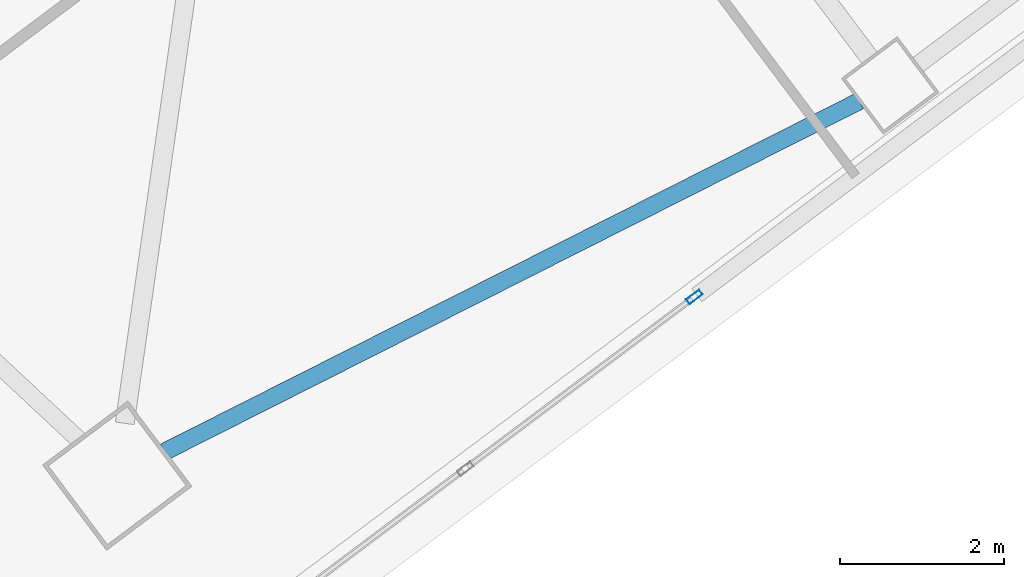
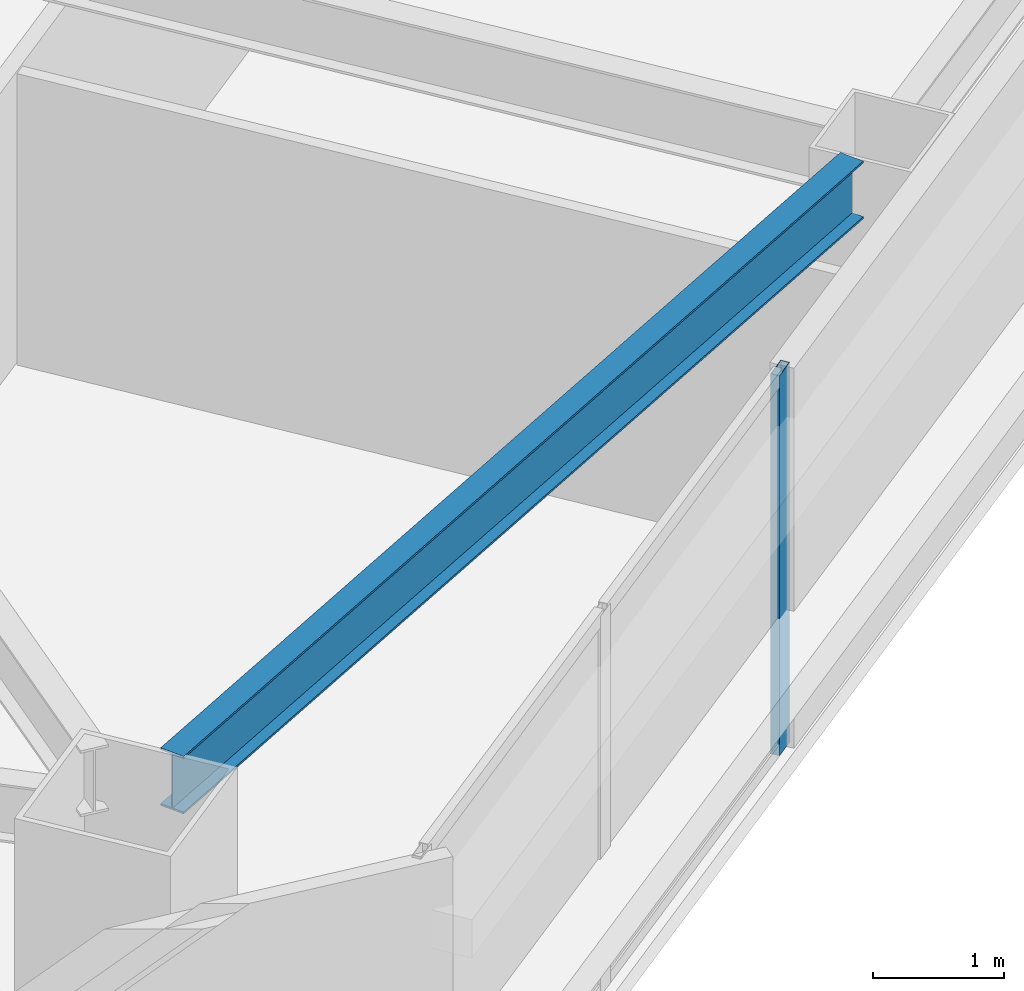
# One storey, part 21 of 48: 1 beam, 1 member, 1 element without a shape of its own.
"""IFC4 building model written with IfcOpenShell, lengths in metres."""

from ifc_helpers import new_model, si_unit, direction, frame, origin, origin_2d, place, context, subcontext, project, spatial, hollow_rectangle, i_section, extrude, material, material_profile, profile_set, type_object, element, aggregate, save


model = new_model("IFC4")

# Units and contexts
model_context = context("Model", 3, precision=1e-05, world=origin(), true_north=direction((0.0, 1.0)))
body_context = subcontext(model_context, "Body", "Model", "MODEL_VIEW")
ifc_project = project(units=[si_unit("LENGTHUNIT", "METRE"), si_unit("AREAUNIT", "SQUARE_METRE"), si_unit("VOLUMEUNIT", "CUBIC_METRE"), si_unit("PLANEANGLEUNIT", "RADIAN"), si_unit("MASSUNIT", "GRAM", prefix="KILO")], contexts=[model_context])

# Site, building, storey
site_placement = place(None, origin())
site = spatial("IfcSite", under=ifc_project, at=site_placement, CompositionType="ELEMENT")
building_placement = place(site_placement, origin())
building = spatial("IfcBuilding", under=site, at=building_placement, Name="Tashvorn Skyway Center", CompositionType="ELEMENT")
storey_placement = place(building_placement, frame((0.0, 0.0, 125.050048828125)))
storey = spatial("IfcBuildingStorey", under=building, at=storey_placement, Name="L33", CompositionType="ELEMENT", Elevation=125.050048828125)

# Beam
ifc_material_1 = material(Name="Steel ASTM A992 Grade 50", Category="steel")
ifc_material_profile_1 = material_profile(ifc_material_1, i_section(OverallWidth=0.2109375, OverallDepth=0.5390625, WebThickness=0.01171875, FlangeThickness=0.018798828125, at=origin_2d()), Name="W21X73")
ifc_profile_set_1 = profile_set([ifc_material_profile_1], Name="Steel ASTM A992 Grade 50")
beam_type = type_object("IfcBeamType", Name="BM-SPANDREL-W21X73", PredefinedType="SPANDREL", material=ifc_profile_set_1)
beam_placement = place(storey_placement, frame((111.415771484375, 10.170654296875, 3.100341796875), z_axis=(0.892719124217, 0.450613543136, 0.0), x_axis=(-0.450613543136, 0.892719124217, 0.0)))
element("IfcBeam", 1, at=beam_placement, inside=storey, type_object=beam_type, Name="Tower 2 L33 Spandrel Beam 01", PredefinedType="SPANDREL", context=body_context, shape_type="SweptSolid", body=[
    extrude(i_section(OverallWidth=0.2109375, OverallDepth=0.5390625, WebThickness=0.01171875, FlangeThickness=0.018798828125, at=origin_2d()), origin(), (0.0, 0.0, 1.0), 9.498291015625),
])

# Curtain wall, member
ifc_material_2 = material(Name="Thermally broken bronze-anodized aluminium 6063-T6", Category="aluminium")
curtain_wall_type = type_object("IfcCurtainWallType", Name="CW-CW-Z3", PredefinedType="NOTDEFINED", material=ifc_material_2)
curtain_wall_placement = place(storey_placement, origin())
curtain_wall = element("IfcCurtainWall", 2, at=curtain_wall_placement, inside=storey, type_object=curtain_wall_type, Name="Tower 2 L33 South Unitised Curtain Wall Glazing Group 3", PredefinedType="NOTDEFINED")
ifc_material_profile_2 = material_profile(ifc_material_2, hollow_rectangle(XDim=0.074951171875, YDim=0.199951171875, WallThickness=0.00439453125, at=origin_2d()), Name="ALU-MULL-75x200")
ifc_profile_set_2 = profile_set([ifc_material_profile_2], Name="Thermally broken bronze-anodized aluminium 6063-T6")
member_type = type_object("IfcMemberType", Name="CWM-CW-Z3", PredefinedType="MULLION", material=ifc_profile_set_2)
member_placement = place(storey_placement, frame((117.880126953125, 12.060302734375, 0.0), z_axis=(0.0, 0.0, 1.0), x_axis=(0.600004533995, -0.799996599484, 0.0)))
member = element("IfcMember", 3, at=member_placement, type_object=member_type, Name="CW-Z3 mullion 1", PredefinedType="MULLION", context=body_context, shape_type="SweptSolid", body=[
    extrude(hollow_rectangle(XDim=0.074951171875, YDim=0.199951171875, WallThickness=0.00439453125, at=origin_2d()), origin(), (0.0, 0.0, 1.0), 3.550048828125),
])
aggregate(curtain_wall, [member])

save(model, "model.ifc")
